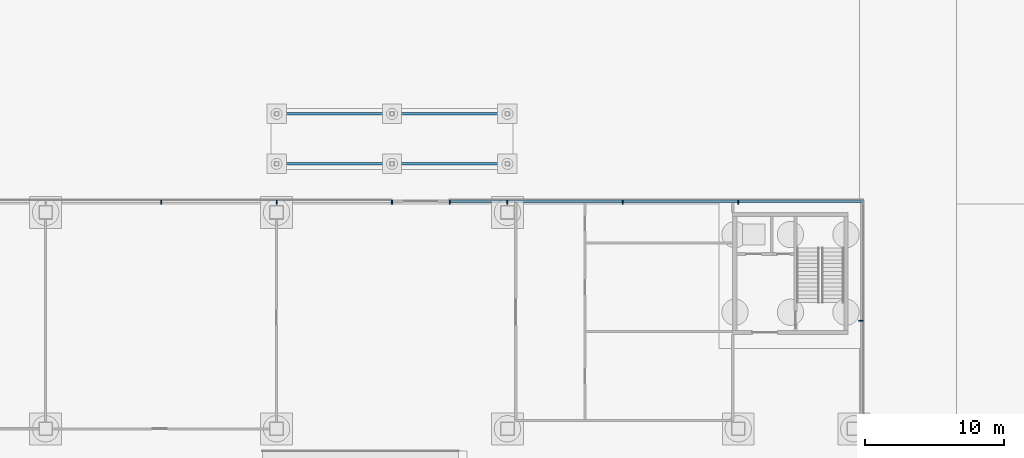
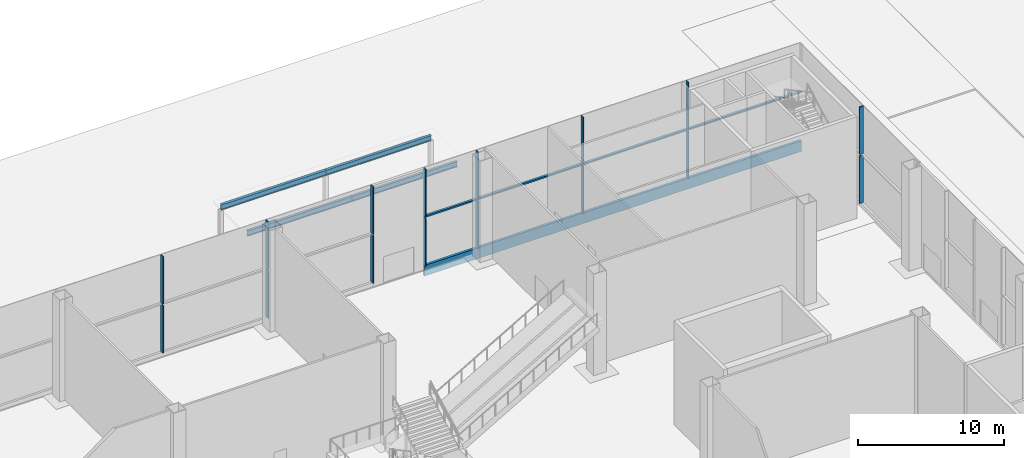
# One storey, part 28 of 113: 18 members, 4 beams, 2 elements without a shape of their own.
"""IFC4 building model written with IfcOpenShell, lengths in metres."""

import ifcopenshell
import ifcopenshell.guid

model = None  # the IFC model being written
_history = None  # IfcOwnerHistory: only IFC2X3 demands one
_inside = {}  # id of a spatial element -> (the spatial element, [elements in it])
_under = {}  # id of a project, library or spatial element -> (it, [spatial elements below it])
_declared = {}  # id of a project -> (the project, [libraries it declares])
_typed = {}  # id of a type object -> (the type object, [elements of that type])
_made_of = {}  # id of a material, layer set ... -> (it, [elements and type objects made of it])


def new_model(schema):
    """Start an empty IFC model of exactly this schema.

    Asked for "IFC4X3", IfcOpenShell would pick the latest addendum, in which some entities
    have other attributes; the version numbers below select the first issue.
    IFC2X3 requires an IfcOwnerHistory on every rooted entity: one is made here for all.
    """
    global model, _history
    if schema == "IFC4X3":
        model = ifcopenshell.file(schema_version=(4, 3, 0, 0))
    else:
        model = ifcopenshell.file(schema=schema)
    _inside.clear()
    _under.clear()
    _declared.clear()
    _typed.clear()
    _made_of.clear()
    _history = None
    if model.schema == "IFC2X3":
        org = make("IfcOrganization", Name="unknown")
        user = make(
            "IfcPersonAndOrganization",
            ThePerson=make("IfcPerson", FamilyName="unknown"),
            TheOrganization=org,
        )
        app = make(
            "IfcApplication",
            ApplicationDeveloper=org,
            Version="unknown",
            ApplicationFullName="unknown",
            ApplicationIdentifier="unknown",
        )
        _history = make(
            "IfcOwnerHistory",
            OwningUser=user,
            OwningApplication=app,
            ChangeAction="ADDED",
            CreationDate=0,
        )
    return model


def make(cls, **values):
    """One entity of the class cls with the attributes given. An attribute that is None is left unset."""
    return model.create_entity(
        cls, **{name: value for name, value in values.items() if value is not None}
    )


def rooted(cls, **values):
    """An entity with a GlobalId (a new one), such as an element, a storey or a relation."""
    return make(cls, GlobalId=ifcopenshell.guid.new(), OwnerHistory=_history, **values)


def si_unit(unit_type, name, prefix=None):
    """IfcSIUnit, for example si_unit("LENGTHUNIT", "METRE", prefix="MILLI")."""
    return make("IfcSIUnit", UnitType=unit_type, Prefix=prefix, Name=name)


def assignment(units):
    """IfcUnitAssignment: the units of a project."""
    return None if units is None else make("IfcUnitAssignment", Units=units)


def point(xyz):
    """IfcCartesianPoint."""
    return None if xyz is None else make("IfcCartesianPoint", Coordinates=xyz)


def direction(xyz):
    """IfcDirection."""
    return None if xyz is None else make("IfcDirection", DirectionRatios=xyz)


def frame(location, z_axis=None, x_axis=None):
    """IfcAxis2Placement3D, a coordinate frame: its origin and axes. An axis left out is left unset."""
    return make(
        "IfcAxis2Placement3D",
        Location=point(location),
        Axis=direction(z_axis),
        RefDirection=direction(x_axis),
    )


def frame_2d(location, x_axis=None):
    """IfcAxis2Placement2D, a coordinate frame in the plane: its origin and x axis."""
    return make(
        "IfcAxis2Placement2D", Location=point(location), RefDirection=direction(x_axis)
    )


def origin():
    """The frame at (0, 0, 0) with its axes left unset."""
    return frame((0.0, 0.0, 0.0))


def origin_2d():
    """The frame at (0, 0) in the plane with its x axis left unset."""
    return frame_2d((0.0, 0.0))


def place(relative_to, where):
    """IfcLocalPlacement: puts the frame where relative to a parent placement (None: the world)."""
    return make(
        "IfcLocalPlacement", PlacementRelTo=relative_to, RelativePlacement=where
    )


def context(
    kind, dimensions, precision=None, world=None, true_north=None, identifier=None
):
    """IfcGeometricRepresentationContext, for example the 3D "Model" context."""
    return make(
        "IfcGeometricRepresentationContext",
        ContextIdentifier=identifier,
        ContextType=kind,
        CoordinateSpaceDimension=dimensions,
        Precision=precision,
        WorldCoordinateSystem=world,
        TrueNorth=true_north,
    )


def subcontext(parent, identifier, kind, view, scale=None):
    """IfcGeometricRepresentationSubContext, for example "Body" below "Model"."""
    return make(
        "IfcGeometricRepresentationSubContext",
        ContextIdentifier=identifier,
        ContextType=kind,
        ParentContext=parent,
        TargetScale=scale,
        TargetView=view,
    )


def project(units=None, contexts=None):
    """IfcProject with its units and contexts."""
    return rooted(
        "IfcProject",
        Name="project",
        RepresentationContexts=contexts,
        UnitsInContext=assignment(units),
    )


def spatial(cls, under=None, at=None, **own):
    """A site, building, storey or space (cls), placed at a placement, below another one or the project."""
    s = rooted(cls, ObjectPlacement=at, **own)
    if under is not None:
        _under.setdefault(under.id(), (under, []))[1].append(s)
    return s


def profile(cls, at=None, kind="AREA", **sizes):
    """A parametric profile (cls). Its sizes go by their IFC names, for example OverallWidth=200.0."""
    return make(cls, ProfileType=kind, Position=at, **sizes)


def rectangle(**sizes):
    """IfcRectangleProfileDef."""
    return profile("IfcRectangleProfileDef", **sizes)


def i_section(**sizes):
    """IfcIShapeProfileDef."""
    return profile("IfcIShapeProfileDef", **sizes)


def extrude(swept, where, along, depth):
    """IfcExtrudedAreaSolid: the profile swept, set in the frame where, extruded along a direction by depth."""
    return make(
        "IfcExtrudedAreaSolid",
        SweptArea=swept,
        Position=where,
        ExtrudedDirection=direction(along),
        Depth=depth,
    )


def shape(context_of_items, identifier, shape_type, items):
    """IfcShapeRepresentation: the items that make up one representation, for example the "Body"."""
    return make(
        "IfcShapeRepresentation",
        ContextOfItems=context_of_items,
        RepresentationIdentifier=identifier,
        RepresentationType=shape_type,
        Items=items,
    )


def material(Name=None, Category=None):
    """IfcMaterial."""
    return make("IfcMaterial", Name=Name, Category=Category)


def layer(
    of_material, thickness, ventilated=None, Name=None, Category=None, Priority=None
):
    """IfcMaterialLayer: one layer of a wall or slab, of a material (None: an air gap)."""
    return make(
        "IfcMaterialLayer",
        Material=of_material,
        LayerThickness=thickness,
        IsVentilated=ventilated,
        Name=Name,
        Category=Category,
        Priority=Priority,
    )


def layer_set(layers, Name=None):
    """IfcMaterialLayerSet."""
    return make("IfcMaterialLayerSet", MaterialLayers=layers, LayerSetName=Name)


def material_profile(
    of_material, cross_section, Name=None, Category=None, Priority=None
):
    """IfcMaterialProfile: a cross section and its material."""
    return make(
        "IfcMaterialProfile",
        Name=Name,
        Material=of_material,
        Profile=cross_section,
        Priority=Priority,
        Category=Category,
    )


def profile_set(profiles, Name=None, composite=None):
    """IfcMaterialProfileSet."""
    return make(
        "IfcMaterialProfileSet",
        Name=Name,
        MaterialProfiles=profiles,
        CompositeProfile=composite,
    )


def made_of(thing, what):
    """Note that an element or type object is made of a material, layer set ...; save() writes the relation."""
    if what is not None:
        _made_of.setdefault(what.id(), (what, []))[1].append(thing)
    return thing


def type_object(cls, material=None, **own):
    """A type object (cls), such as IfcWallType, which elements share."""
    return made_of(rooted(cls, **own), material)


def element(
    cls,
    number,
    at=None,
    inside=None,
    cuts=None,
    type_object=None,
    material=None,
    context=None,
    identifier="Body",
    shape_type=None,
    held_by="IfcProductDefinitionShape",
    body=None,
    shapes=None,
    **own,
):
    """One element of the class cls, such as IfcWall. Its Tag is "e" and its number.

    at: its placement. inside: the storey or other place that contains it. cuts: it is an
    opening in that element (IfcRelVoidsElement). A single representation is given by context,
    identifier, shape_type and body (its items); several are given by shapes. held_by: the class
    of the entity that holds the representations. save() writes the other relations.
    """
    e = rooted(cls, Tag="e%d" % number, ObjectPlacement=at, **own)
    if body is not None:
        shapes = [shape(context, identifier, shape_type, body)]
    if shapes is not None:
        e.Representation = make(held_by, Representations=shapes)
    if inside is not None:
        _inside.setdefault(inside.id(), (inside, []))[1].append(e)
    if cuts is not None:
        rooted(
            "IfcRelVoidsElement", RelatingBuildingElement=cuts, RelatedOpeningElement=e
        )
    if type_object is not None:
        _typed.setdefault(type_object.id(), (type_object, []))[1].append(e)
    return made_of(e, material)


def aggregate(whole, parts):
    """IfcRelAggregates: a whole, such as a stair, and the parts it consists of."""
    return rooted("IfcRelAggregates", RelatingObject=whole, RelatedObjects=parts)


def save(model, path):
    """Write the relations noted so far, then the file.

    IfcRelAggregates (storeys below a building ...), IfcRelContainedInSpatialStructure (elements
    in a storey), IfcRelDefinesByType, IfcRelAssociatesMaterial and IfcRelDeclares: one each for
    every whole, place, type object, material and project.
    """
    for whole, parts in _under.values():
        aggregate(whole, parts)
    for where, things in _inside.values():
        rooted(
            "IfcRelContainedInSpatialStructure",
            RelatedElements=things,
            RelatingStructure=where,
        )
    for kind, things in _typed.values():
        rooted("IfcRelDefinesByType", RelatedObjects=things, RelatingType=kind)
    for what, things in _made_of.values():
        rooted("IfcRelAssociatesMaterial", RelatedObjects=things, RelatingMaterial=what)
    for by, libraries in _declared.values():
        rooted("IfcRelDeclares", RelatingContext=by, RelatedDefinitions=libraries)
    model.write(path)


model = new_model("IFC4")

# Units and contexts
model_context = context("Model", 3, precision=1e-05, world=origin(), true_north=direction((0.0, 1.0)))
body_context = subcontext(model_context, "Body", "Model", "MODEL_VIEW")
ifc_project = project(units=[si_unit("LENGTHUNIT", "METRE"), si_unit("AREAUNIT", "SQUARE_METRE"), si_unit("VOLUMEUNIT", "CUBIC_METRE"), si_unit("PLANEANGLEUNIT", "RADIAN"), si_unit("MASSUNIT", "GRAM", prefix="KILO")], contexts=[model_context])

# Site, building, storey
site_placement = place(None, origin())
site = spatial("IfcSite", under=ifc_project, at=site_placement, CompositionType="ELEMENT")
building_placement = place(site_placement, origin())
building = spatial("IfcBuilding", under=site, at=building_placement, Name="Hakoniwa Tower and Hamabe Station Hall", CompositionType="ELEMENT")
storey_placement = place(building_placement, origin())
storey = spatial("IfcBuildingStorey", under=building, at=storey_placement, Name="L01", CompositionType="ELEMENT", Elevation=0.0)

# Beams
ifc_material_1 = material(Name="Steel SN490B", Category="steel")
ifc_material_profile_1 = material_profile(ifc_material_1, i_section(OverallWidth=0.199951171875, OverallDepth=0.449951171875, WebThickness=0.009033203125, FlangeThickness=0.013916015625, FilletRadius=0.01806640625, at=origin_2d()), Name="H-450x200x9x14")
ifc_profile_set_1 = profile_set([ifc_material_profile_1], Name="Steel SN490B")
beam_type = type_object("IfcBeamType", Name="CANOPY BEAM H-450x200x9x14", PredefinedType="BEAM", material=ifc_profile_set_1)
beam_1_placement = place(storey_placement, frame((127.550048828125, 26.89990234375, 5.72509765625), z_axis=(1.0, 0.0, 0.0), x_axis=(0.0, 1.0, 0.0)))
element("IfcBeam", 1, at=beam_1_placement, inside=storey, type_object=beam_type, Name="Canopy beam N11", PredefinedType="BEAM", context=body_context, shape_type="SweptSolid", body=[
    extrude(i_section(OverallWidth=0.199951171875, OverallDepth=0.449951171875, WebThickness=0.009033203125, FlangeThickness=0.013916015625, FilletRadius=0.01806640625, at=origin_2d()), origin(), (0.0, 0.0, 1.0), 8.320068359375),
])
beam_2_placement = place(storey_placement, frame((135.8701171875, 26.89990234375, 5.72509765625), z_axis=(1.0, 0.0, 0.0), x_axis=(0.0, 1.0, 0.0)))
element("IfcBeam", 2, at=beam_2_placement, inside=storey, type_object=beam_type, Name="Canopy beam N12", PredefinedType="BEAM", context=body_context, shape_type="SweptSolid", body=[
    extrude(i_section(OverallWidth=0.199951171875, OverallDepth=0.449951171875, WebThickness=0.009033203125, FlangeThickness=0.013916015625, FilletRadius=0.01806640625, at=origin_2d()), origin(), (0.0, 0.0, 1.0), 8.31982421875),
])
beam_3_placement = place(storey_placement, frame((127.550048828125, 30.5, 5.72509765625), z_axis=(1.0, 0.0, 0.0), x_axis=(0.0, 1.0, 0.0)))
element("IfcBeam", 3, at=beam_3_placement, inside=storey, type_object=beam_type, Name="Canopy beam N21", PredefinedType="BEAM", context=body_context, shape_type="SweptSolid", body=[
    extrude(i_section(OverallWidth=0.199951171875, OverallDepth=0.449951171875, WebThickness=0.009033203125, FlangeThickness=0.013916015625, FilletRadius=0.01806640625, at=origin_2d()), origin(), (0.0, 0.0, 1.0), 8.320068359375),
])
beam_4_placement = place(storey_placement, frame((135.8701171875, 30.5, 5.72509765625), z_axis=(1.0, 0.0, 0.0), x_axis=(0.0, 1.0, 0.0)))
element("IfcBeam", 4, at=beam_4_placement, inside=storey, type_object=beam_type, Name="Canopy beam N22", PredefinedType="BEAM", context=body_context, shape_type="SweptSolid", body=[
    extrude(i_section(OverallWidth=0.199951171875, OverallDepth=0.449951171875, WebThickness=0.009033203125, FlangeThickness=0.013916015625, FilletRadius=0.01806640625, at=origin_2d()), origin(), (0.0, 0.0, 1.0), 8.31982421875),
])

# Curtain wall, members
ifc_material_2 = material(Name="Dark low-e laminated glass", Category="glass")
ifc_layer = layer(ifc_material_2, 0.199951171875)
ifc_layer_set = layer_set([ifc_layer], Name="CW-7 STATION")
curtain_wall_type = type_object("IfcCurtainWallType", Name="CW-7 STATION", PredefinedType="NOTDEFINED", material=ifc_layer_set)
curtain_wall_1_placement = place(storey_placement, origin())
curtain_wall_1 = element("IfcCurtainWall", 5, at=curtain_wall_1_placement, inside=storey, type_object=curtain_wall_type, Name="Station curtain wall L01 north", PredefinedType="NOTDEFINED")
ifc_material_3 = material(Name="Aluminium 6063-T5 black anodised", Category="aluminium")
ifc_material_profile_2 = material_profile(ifc_material_3, rectangle(XDim=0.199951171875, YDim=0.1201171875, at=origin_2d()), Name="CW MID TRANSOM 120X200")
ifc_profile_set_2 = profile_set([ifc_material_profile_2], Name="Aluminium 6063-T5 black anodised")
member_type_1 = type_object("IfcMemberType", Name="CW MID TRANSOM 120X200", PredefinedType="USERDEFINED", material=ifc_profile_set_2)
member_1_placement = place(storey_placement, frame((169.85009765625, 24.199951171875, 4.39990234375), z_axis=(-1.0, 0.0, 0.0), x_axis=(0.0, -1.0, 0.0)))
member_1 = element("IfcMember", 6, at=member_1_placement, type_object=member_type_1, Name="CW-7 transom", ObjectType="TRANSOM", PredefinedType="USERDEFINED", context=body_context, shape_type="SweptSolid", body=[
    extrude(rectangle(XDim=0.199951171875, YDim=0.1201171875, at=origin_2d()), origin(), (0.0, 0.0, 1.0), 29.85009765625),
])
ifc_material_4 = material(Name="Aluminium 6063-T5 black anodised", Category="aluminium")
ifc_material_profile_3 = material_profile(ifc_material_4, rectangle(XDim=0.199951171875, YDim=0.89990234375, at=origin_2d()), Name="CW SLAB-EDGE BAND 900X200")
ifc_profile_set_3 = profile_set([ifc_material_profile_3], Name="Aluminium 6063-T5 black anodised")
member_type_2 = type_object("IfcMemberType", Name="CW SLAB-EDGE BAND 900X200", PredefinedType="USERDEFINED", material=ifc_profile_set_3)
member_2_placement = place(storey_placement, frame((169.85009765625, 24.199951171875, -0.10009765625), z_axis=(-1.0, 0.0, 0.0), x_axis=(0.0, -1.0, 0.0)))
member_2 = element("IfcMember", 7, at=member_2_placement, type_object=member_type_2, Name="CW-7 transom", ObjectType="TRANSOM", PredefinedType="USERDEFINED", context=body_context, shape_type="SweptSolid", body=[
    extrude(rectangle(XDim=0.199951171875, YDim=0.89990234375, at=origin_2d()), origin(), (0.0, 0.0, 1.0), 29.85009765625),
])

curtain_wall_2_placement = place(storey_placement, origin())
curtain_wall_2 = element("IfcCurtainWall", 8, at=curtain_wall_2_placement, inside=storey, type_object=curtain_wall_type, Name="Station curtain wall L01 east", PredefinedType="NOTDEFINED")
ifc_material_5 = material(Name="Aluminium 6063-T5 black anodised", Category="aluminium")
ifc_material_profile_4 = material_profile(ifc_material_5, rectangle(XDim=0.080078125, YDim=0.300048828125, at=origin_2d()), Name="CW-3 MULLION 80X300")
ifc_profile_set_4 = profile_set([ifc_material_profile_4], Name="Aluminium 6063-T5 black anodised")
member_type_3 = type_object("IfcMemberType", Name="CW-3 MULLION 80X300", PredefinedType="MULLION", material=ifc_profile_set_4)
member_3_placement = place(storey_placement, frame((169.672119140625, 15.60009765625, 0.35009765625), z_axis=(0.0, 0.0, 1.0), x_axis=(0.0, 1.0, 0.0)))
member_3 = element("IfcMember", 9, at=member_3_placement, type_object=member_type_3, Name="CW-7 mullion", PredefinedType="MULLION", context=body_context, shape_type="SweptSolid", body=[
    extrude(rectangle(XDim=0.080078125, YDim=0.300048828125, at=origin_2d()), origin(), (0.0, 0.0, 1.0), 3.989990234375),
])
member_4_placement = place(storey_placement, frame((169.672119140625, 15.60009765625, 4.4599609375), z_axis=(0.0, 0.0, 1.0), x_axis=(0.0, 1.0, 0.0)))
member_4 = element("IfcMember", 10, at=member_4_placement, type_object=member_type_3, Name="CW-7 mullion", PredefinedType="MULLION", context=body_context, shape_type="SweptSolid", body=[
    extrude(rectangle(XDim=0.080078125, YDim=0.300048828125, at=origin_2d()), origin(), (0.0, 0.0, 1.0), 3.989990234375),
])
aggregate(curtain_wall_2, [member_3, member_4])

# Member
member_5_placement = place(storey_placement, frame((160.830078125, 24.1220703125, 0.35009765625), z_axis=(0.0, 0.0, 1.0), x_axis=(-1.0, 0.0, 0.0)))
member_5 = element("IfcMember", 11, at=member_5_placement, type_object=member_type_3, Name="CW-7 mullion", PredefinedType="MULLION", context=body_context, shape_type="SweptSolid", body=[
    extrude(rectangle(XDim=0.080078125, YDim=0.300048828125, at=origin_2d()), origin(), (0.0, 0.0, 1.0), 3.989990234375),
])

member_6_placement = place(storey_placement, frame((160.830078125, 24.1220703125, 4.4599609375), z_axis=(0.0, 0.0, 1.0), x_axis=(-1.0, 0.0, 0.0)))
member_6 = element("IfcMember", 12, at=member_6_placement, type_object=member_type_3, Name="CW-7 mullion", PredefinedType="MULLION", context=body_context, shape_type="SweptSolid", body=[
    extrude(rectangle(XDim=0.080078125, YDim=0.300048828125, at=origin_2d()), origin(), (0.0, 0.0, 1.0), 3.989990234375),
])

member_7_placement = place(storey_placement, frame((152.510009765625, 24.1220703125, 0.35009765625), z_axis=(0.0, 0.0, 1.0), x_axis=(-1.0, 0.0, 0.0)))
member_7 = element("IfcMember", 13, at=member_7_placement, type_object=member_type_3, Name="CW-7 mullion", PredefinedType="MULLION", context=body_context, shape_type="SweptSolid", body=[
    extrude(rectangle(XDim=0.080078125, YDim=0.300048828125, at=origin_2d()), origin(), (0.0, 0.0, 1.0), 3.989990234375),
])

member_8_placement = place(storey_placement, frame((152.510009765625, 24.1220703125, 4.4599609375), z_axis=(0.0, 0.0, 1.0), x_axis=(-1.0, 0.0, 0.0)))
member_8 = element("IfcMember", 14, at=member_8_placement, type_object=member_type_3, Name="CW-7 mullion", PredefinedType="MULLION", context=body_context, shape_type="SweptSolid", body=[
    extrude(rectangle(XDim=0.080078125, YDim=0.300048828125, at=origin_2d()), origin(), (0.0, 0.0, 1.0), 3.989990234375),
])

member_9_placement = place(storey_placement, frame((144.18994140625, 24.1220703125, 0.35009765625), z_axis=(0.0, 0.0, 1.0), x_axis=(-1.0, 0.0, 0.0)))
member_9 = element("IfcMember", 15, at=member_9_placement, type_object=member_type_3, Name="CW-7 mullion", PredefinedType="MULLION", context=body_context, shape_type="SweptSolid", body=[
    extrude(rectangle(XDim=0.080078125, YDim=0.300048828125, at=origin_2d()), origin(), (0.0, 0.0, 1.0), 3.989990234375),
])

member_10_placement = place(storey_placement, frame((144.18994140625, 24.1220703125, 4.4599609375), z_axis=(0.0, 0.0, 1.0), x_axis=(-1.0, 0.0, 0.0)))
member_10 = element("IfcMember", 16, at=member_10_placement, type_object=member_type_3, Name="CW-7 mullion", PredefinedType="MULLION", context=body_context, shape_type="SweptSolid", body=[
    extrude(rectangle(XDim=0.080078125, YDim=0.300048828125, at=origin_2d()), origin(), (0.0, 0.0, 1.0), 3.989990234375),
])

member_11_placement = place(storey_placement, frame((140.030029296875, 24.1220703125, 0.35009765625), z_axis=(0.0, 0.0, 1.0), x_axis=(-1.0, 0.0, 0.0)))
member_11 = element("IfcMember", 17, at=member_11_placement, type_object=member_type_3, Name="CW-7 mullion", PredefinedType="MULLION", context=body_context, shape_type="SweptSolid", body=[
    extrude(rectangle(XDim=0.080078125, YDim=0.300048828125, at=origin_2d()), origin(), (0.0, 0.0, 1.0), 3.989990234375),
])

member_12_placement = place(storey_placement, frame((140.030029296875, 24.1220703125, 4.4599609375), z_axis=(0.0, 0.0, 1.0), x_axis=(-1.0, 0.0, 0.0)))
member_12 = element("IfcMember", 18, at=member_12_placement, type_object=member_type_3, Name="CW-7 mullion", PredefinedType="MULLION", context=body_context, shape_type="SweptSolid", body=[
    extrude(rectangle(XDim=0.080078125, YDim=0.300048828125, at=origin_2d()), origin(), (0.0, 0.0, 1.0), 3.989990234375),
])

member_13_placement = place(storey_placement, frame((135.8701171875, 24.1220703125, 0.35009765625), z_axis=(0.0, 0.0, 1.0), x_axis=(-1.0, 0.0, 0.0)))
member_13 = element("IfcMember", 19, at=member_13_placement, type_object=member_type_3, Name="CW-7 mullion", PredefinedType="MULLION", context=body_context, shape_type="SweptSolid", body=[
    extrude(rectangle(XDim=0.080078125, YDim=0.300048828125, at=origin_2d()), origin(), (0.0, 0.0, 1.0), 3.989990234375),
])

member_14_placement = place(storey_placement, frame((135.8701171875, 24.1220703125, 4.4599609375), z_axis=(0.0, 0.0, 1.0), x_axis=(-1.0, 0.0, 0.0)))
member_14 = element("IfcMember", 20, at=member_14_placement, type_object=member_type_3, Name="CW-7 mullion", PredefinedType="MULLION", context=body_context, shape_type="SweptSolid", body=[
    extrude(rectangle(XDim=0.080078125, YDim=0.300048828125, at=origin_2d()), origin(), (0.0, 0.0, 1.0), 3.989990234375),
])

member_15_placement = place(storey_placement, frame((127.550048828125, 24.1220703125, 0.35009765625), z_axis=(0.0, 0.0, 1.0), x_axis=(-1.0, 0.0, 0.0)))
member_15 = element("IfcMember", 21, at=member_15_placement, type_object=member_type_3, Name="CW-7 mullion", PredefinedType="MULLION", context=body_context, shape_type="SweptSolid", body=[
    extrude(rectangle(XDim=0.080078125, YDim=0.300048828125, at=origin_2d()), origin(), (0.0, 0.0, 1.0), 3.989990234375),
])

member_16_placement = place(storey_placement, frame((127.550048828125, 24.1220703125, 4.4599609375), z_axis=(0.0, 0.0, 1.0), x_axis=(-1.0, 0.0, 0.0)))
member_16 = element("IfcMember", 22, at=member_16_placement, type_object=member_type_3, Name="CW-7 mullion", PredefinedType="MULLION", context=body_context, shape_type="SweptSolid", body=[
    extrude(rectangle(XDim=0.080078125, YDim=0.300048828125, at=origin_2d()), origin(), (0.0, 0.0, 1.0), 3.989990234375),
])

member_17_placement = place(storey_placement, frame((119.22998046875, 24.1220703125, 0.35009765625), z_axis=(0.0, 0.0, 1.0), x_axis=(-1.0, 0.0, 0.0)))
member_17 = element("IfcMember", 23, at=member_17_placement, type_object=member_type_3, Name="CW-7 mullion", PredefinedType="MULLION", context=body_context, shape_type="SweptSolid", body=[
    extrude(rectangle(XDim=0.080078125, YDim=0.300048828125, at=origin_2d()), origin(), (0.0, 0.0, 1.0), 3.989990234375),
])

member_18_placement = place(storey_placement, frame((119.22998046875, 24.1220703125, 4.4599609375), z_axis=(0.0, 0.0, 1.0), x_axis=(-1.0, 0.0, 0.0)))
member_18 = element("IfcMember", 24, at=member_18_placement, type_object=member_type_3, Name="CW-7 mullion", PredefinedType="MULLION", context=body_context, shape_type="SweptSolid", body=[
    extrude(rectangle(XDim=0.080078125, YDim=0.300048828125, at=origin_2d()), origin(), (0.0, 0.0, 1.0), 3.989990234375),
])

aggregate(curtain_wall_1, [member_5, member_6, member_7, member_8, member_9, member_10, member_11, member_12, member_13, member_14, member_15, member_16, member_17, member_18, member_2, member_1])

save(model, "model.ifc")
